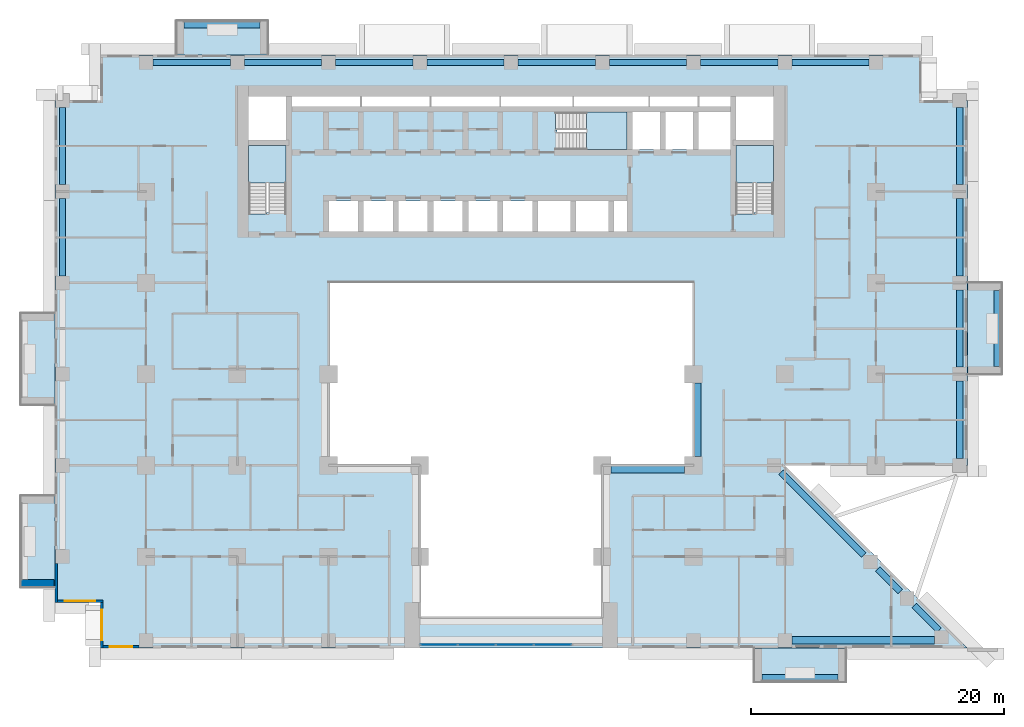
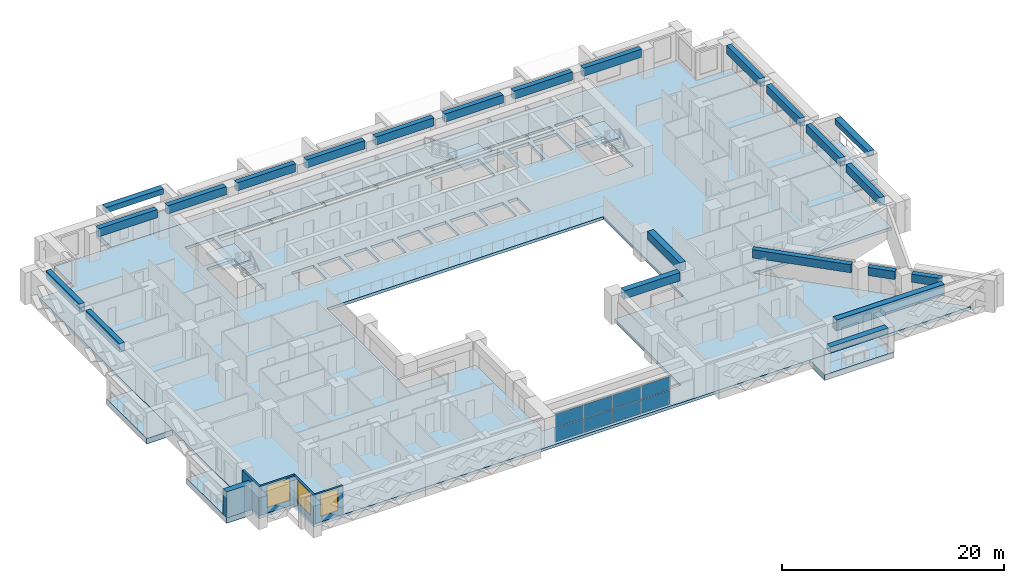
# One storey, part 5 of 16: 23 beams, 9 slabs, 8 plates, 5 walls, 3 windows, 3 openings, 4 elements without a shape of their own.
"""IFC4 building model written with IfcOpenShell, lengths in metres."""

from ifc_helpers import new_model, si_unit, direction, frame, frame_2d, origin, origin_2d, place, context, subcontext, project, spatial, polyline, rectangle, outline, extrude, source, transform, mapped, material, layer, layer_set, material_profile, profile_set, type_object, element, fill, aggregate, save


model = new_model("IFC4")

# Units and contexts
model_context = context("Model", 3, precision=1e-05, world=origin(), true_north=direction((0.0, 1.0)))
body_context = subcontext(model_context, "Body", "Model", "MODEL_VIEW")
ifc_project = project(units=[si_unit("LENGTHUNIT", "METRE"), si_unit("AREAUNIT", "SQUARE_METRE"), si_unit("VOLUMEUNIT", "CUBIC_METRE"), si_unit("PLANEANGLEUNIT", "RADIAN"), si_unit("MASSUNIT", "GRAM", prefix="KILO")], contexts=[model_context])

# Site, building, storey
site_placement = place(None, origin())
site = spatial("IfcSite", under=ifc_project, at=site_placement, CompositionType="ELEMENT")
building_placement = place(site_placement, origin())
building = spatial("IfcBuilding", under=site, at=building_placement, Name="Saffron Iwan Residences", CompositionType="ELEMENT")
storey_placement = place(building_placement, frame((0.0, 0.0, 30.5)))
storey = spatial("IfcBuildingStorey", under=building, at=storey_placement, Name="L06", CompositionType="ELEMENT", Elevation=30.5)

# Beams
ifc_material_1 = material(Name="Concrete C60/75", Category="concrete")
ifc_material_profile_1 = material_profile(ifc_material_1, rectangle(XDim=0.5, YDim=0.89990234375, at=origin_2d()), Name="RC 500x900")
ifc_profile_set_1 = profile_set([ifc_material_profile_1], Name="Concrete C60/75")
beam_type_1 = type_object("IfcBeamType", Name="SPANDREL BEAM RC 500x900 C60/75 TOP 3180", PredefinedType="SPANDREL", material=ifc_profile_set_1)
shared_shape_1 = source(origin(), body_context, "Body", "SweptSolid", [
    extrude(rectangle(XDim=0.5, YDim=0.89990234375, at=origin_2d()), origin(), (0.0, 0.0, 1.0), 6.10009765625),
])
for number, where, z_axis, x_axis, name in (
    (1, (85.800048828125, 61.85009765625, 2.72998046875), (0.0, -1.0, 0.0), (1.0, 0.0, 0.0), "Spandrel beam"),
    (2, (15.0, 62.949951171875, 2.72998046875), (0.0, 1.0, 0.0), (-1.0, 0.0, 0.0), "Spandrel beam"),
    (3, (85.800048828125, 69.050048828125, 2.72998046875), (0.0, -1.0, 0.0), (1.0, 0.0, 0.0), "Spandrel beam"),
    (4, (15.0, 70.14990234375, 2.72998046875), (0.0, 1.0, 0.0), (-1.0, 0.0, 0.0), "Spandrel beam"),
    (5, (85.800048828125, 76.25, 2.72998046875), (0.0, -1.0, 0.0), (1.0, 0.0, 0.0), "Spandrel beam"),
    (6, (22.14990234375, 79.800048828125, 2.72998046875), (1.0, 0.0, 0.0), (0.0, 1.0, 0.0), "Spandrel beam"),
    (7, (43.75, 79.800048828125, 2.72998046875), (1.0, 0.0, 0.0), (0.0, 1.0, 0.0), "Spandrel beam"),
    (8, (50.949951171875, 79.800048828125, 2.72998046875), (1.0, 0.0, 0.0), (0.0, 1.0, 0.0), "Spandrel beam"),
    (9, (58.14990234375, 79.800048828125, 2.72998046875), (1.0, 0.0, 0.0), (0.0, 1.0, 0.0), "Spandrel beam"),
):
    element("IfcBeam", number, at=place(storey_placement, frame(where, z_axis=z_axis, x_axis=x_axis)), inside=storey, type_object=beam_type_1, Name=name, PredefinedType="SPANDREL", context=body_context, shape_type="MappedRepresentation", body=[
        mapped(shared_shape_1, transform((0.0, 0.0, 0.0))),
    ])
shared_shape_2 = source(origin(), body_context, "Body", "SweptSolid", [
    extrude(rectangle(XDim=0.5, YDim=0.89990234375, at=origin_2d()), origin(), (0.0, 0.0, 1.0), 6.099853515625),
])
for number, where, z_axis, x_axis, name in (
    (10, (85.800048828125, 54.64990234375, 2.72998046875), (0.0, -1.0, 0.0), (1.0, 0.0, 0.0), "Spandrel beam"),
    (11, (29.35009765625, 79.800048828125, 2.72998046875), (1.0, 0.0, 0.0), (0.0, 1.0, 0.0), "Spandrel beam"),
    (12, (36.550048828125, 79.800048828125, 2.72998046875), (1.0, 0.0, 0.0), (0.0, 1.0, 0.0), "Spandrel beam"),
    (13, (65.35009765625, 79.800048828125, 2.72998046875), (1.0, 0.0, 0.0), (0.0, 1.0, 0.0), "Spandrel beam"),
    (14, (72.550048828125, 79.800048828125, 2.72998046875), (1.0, 0.0, 0.0), (0.0, 1.0, 0.0), "Spandrel beam"),
):
    element("IfcBeam", number, at=place(storey_placement, frame(where, z_axis=z_axis, x_axis=x_axis)), inside=storey, type_object=beam_type_1, Name=name, PredefinedType="SPANDREL", context=body_context, shape_type="MappedRepresentation", body=[
        mapped(shared_shape_2, transform((0.0, 0.0, 0.0))),
    ])
shared_shape_3 = source(origin(), body_context, "Body", "SweptSolid", [
    extrude(rectangle(XDim=0.5, YDim=0.89990234375, at=origin_2d()), origin(), (0.0, 0.0, 1.0), 2.76318359375),
])
beam_1_placement = place(storey_placement, frame((82.205810546875, 36.94580078125, 2.72998046875), z_axis=(0.707106781187, -0.707106781187, 0.0), x_axis=(0.707106781187, 0.707106781187, 0.0)))
element("IfcBeam", 15, at=beam_1_placement, inside=storey, type_object=beam_type_1, Name="Spandrel beam", PredefinedType="SPANDREL", context=body_context, shape_type="MappedRepresentation", body=[
    mapped(shared_shape_3, transform((0.0, 0.0, 0.0))),
])
shared_shape_4 = source(origin(), body_context, "Body", "SweptSolid", [
    extrude(rectangle(XDim=0.5, YDim=0.89990234375, at=origin_2d()), origin(), (0.0, 0.0, 1.0), 2.517333984375),
])
beam_2_placement = place(storey_placement, frame((79.32568359375, 39.82568359375, 2.72998046875), z_axis=(0.707106781187, -0.707106781187, 0.0), x_axis=(0.707106781187, 0.707106781187, 0.0)))
element("IfcBeam", 16, at=beam_2_placement, inside=storey, type_object=beam_type_1, Name="Spandrel beam", PredefinedType="SPANDREL", context=body_context, shape_type="MappedRepresentation", body=[
    mapped(shared_shape_4, transform((0.0, 0.0, 0.0))),
])
shared_shape_5 = source(origin(), body_context, "Body", "SweptSolid", [
    extrude(rectangle(XDim=0.5, YDim=0.89990234375, at=origin_2d()), origin(), (0.0, 0.0, 1.0), 9.228759765625),
])
beam_3_placement = place(storey_placement, frame((71.699951171875, 47.451416015625, 2.72998046875), z_axis=(0.707120008149, -0.707093553977, 0.0), x_axis=(0.707093553977, 0.707120008149, 0.0)))
element("IfcBeam", 17, at=beam_3_placement, inside=storey, type_object=beam_type_1, Name="Spandrel beam", PredefinedType="SPANDREL", context=body_context, shape_type="MappedRepresentation", body=[
    mapped(shared_shape_5, transform((0.0, 0.0, 0.0))),
])
ifc_material_profile_2 = material_profile(ifc_material_1, rectangle(XDim=0.60009765625, YDim=1.199951171875, at=origin_2d()), Name="RC 600x1200")
ifc_profile_set_2 = profile_set([ifc_material_profile_2], Name="Concrete C60/75")
beam_type_2 = type_object("IfcBeamType", Name="LINTEL BEAM RC 600x1200 C60/75 TOP 3180", PredefinedType="LINTEL", material=ifc_profile_set_2)
shared_shape_6 = source(origin(), body_context, "Body", "SweptSolid", [
    extrude(rectangle(XDim=0.60009765625, YDim=1.199951171875, at=origin_2d()), origin(), (0.0, 0.0, 1.0), 11.267333984375),
])
beam_4_placement = place(storey_placement, frame((83.8173828125, 34.199951171875, 2.580078125), z_axis=(-1.0, 0.0, 0.0), x_axis=(0.0, -1.0, 0.0)))
element("IfcBeam", 18, at=beam_4_placement, inside=storey, type_object=beam_type_2, Name="Lintel beam over the iwan", PredefinedType="LINTEL", context=body_context, shape_type="MappedRepresentation", body=[
    mapped(shared_shape_6, transform((0.0, 0.0, 0.0))),
])
ifc_material_profile_3 = material_profile(ifc_material_1, rectangle(XDim=0.60009765625, YDim=0.89990234375, at=origin_2d()), Name="RC 600x900")
ifc_profile_set_3 = profile_set([ifc_material_profile_3], Name="Concrete C60/75")
beam_type_3 = type_object("IfcBeamType", Name="BEAM RC 600x900 C60/75 TOP 3180", PredefinedType="BEAM", material=ifc_profile_set_3)
shared_shape_7 = source(origin(), body_context, "Body", "SweptSolid", [
    extrude(rectangle(XDim=0.60009765625, YDim=0.89990234375, at=origin_2d()), origin(), (0.0, 0.0, 1.0), 5.800048828125),
])
for number, where, z_axis, x_axis, name in (
    (19, (64.10009765625, 47.699951171875, 2.72998046875), (-1.0, 0.0, 0.0), (0.0, -1.0, 0.0), "Atrium edge beam"),
    (20, (65.10009765625, 54.5, 2.72998046875), (0.0, -1.0, 0.0), (1.0, 0.0, 0.0), "Atrium edge beam"),
):
    element("IfcBeam", number, at=place(storey_placement, frame(where, z_axis=z_axis, x_axis=x_axis)), inside=storey, type_object=beam_type_3, Name=name, PredefinedType="BEAM", context=body_context, shape_type="MappedRepresentation", body=[
        mapped(shared_shape_7, transform((0.0, 0.0, 0.0))),
    ])
ifc_material_2 = material(Name="Concrete C50/60 white painted", Category="concrete")
ifc_material_profile_4 = material_profile(ifc_material_2, rectangle(XDim=0.60009765625, YDim=0.60009765625, at=origin_2d()), Name="BALCONY FASCIA BEAM 600 x 600")
ifc_profile_set_4 = profile_set([ifc_material_profile_4], Name="Concrete C50/60 white painted")
beam_type_4 = type_object("IfcBeamType", Name="BALCONY FASCIA BEAM 600 x 600", PredefinedType="BEAM", material=ifc_profile_set_4)
shared_shape_8 = source(origin(), body_context, "Body", "SweptSolid", [
    extrude(rectangle(XDim=0.60009765625, YDim=0.60009765625, at=origin_2d()), origin(), (0.0, 0.0, 1.0), 6.0),
])
for number, where, z_axis, x_axis, name in (
    (21, (88.800048828125, 55.800048828125, 2.550048828125), (0.0, 1.0, 0.0), (-1.0, 0.0, 0.0), "Balcony fascia beam L06 F2-0"),
    (22, (30.60009765625, 82.800048828125, 2.550048828125), (-1.0, 0.0, 0.0), (0.0, -1.0, 0.0), "Balcony fascia beam L06 F5-3"),
    (23, (70.199951171875, 31.199951171875, 2.550048828125), (1.0, 0.0, 0.0), (0.0, 1.0, 0.0), "Balcony fascia beam L06 11-1"),
):
    element("IfcBeam", number, at=place(storey_placement, frame(where, z_axis=z_axis, x_axis=x_axis)), inside=storey, type_object=beam_type_4, Name=name, PredefinedType="BEAM", context=body_context, shape_type="MappedRepresentation", body=[
        mapped(shared_shape_8, transform((0.0, 0.0, 0.0))),
    ])

# Slabs
ifc_layer_1 = layer(ifc_material_2, 0.60009765625)
ifc_layer_set_1 = layer_set([ifc_layer_1], Name="Concrete C50/60 white painted")
slab_type_1 = type_object("IfcSlabType", Name="BALCONY FRAME SLAB 600", PredefinedType="FLOOR", material=ifc_layer_set_1)
slab_1_placement = place(storey_placement, frame((0.0, 0.0, -0.60009765625)))
element("IfcSlab", 24, at=slab_1_placement, inside=storey, type_object=slab_type_1, Name="Balcony frame slab L06 F2-0", PredefinedType="FLOOR", context=body_context, shape_type="SweptSolid", body=[
    extrude(outline(polyline([(89.10009765625, 55.199951171875), (89.10009765625, 62.39990234375), (86.39990234375, 62.39990234375), (86.39990234375, 55.199951171875), (89.10009765625, 55.199951171875)])), origin(), (0.0, 0.0, 1.0), 0.60009765625),
])
slab_2_placement = place(storey_placement, frame((0.0, 0.0, -0.60009765625)))
element("IfcSlab", 25, at=slab_2_placement, inside=storey, type_object=slab_type_1, Name="Balcony frame slab L06 F5-3", PredefinedType="FLOOR", context=body_context, shape_type="SweptSolid", body=[
    extrude(outline(polyline([(31.199951171875, 83.10009765625), (24.0, 83.10009765625), (24.0, 80.39990234375), (31.199951171875, 80.39990234375), (31.199951171875, 83.10009765625)])), origin(), (0.0, 0.0, 1.0), 0.60009765625),
])
slab_3_placement = place(storey_placement, frame((0.0, 0.0, -0.60009765625)))
element("IfcSlab", 26, at=slab_3_placement, inside=storey, type_object=slab_type_1, Name="Balcony frame slab L06 F8-1", PredefinedType="FLOOR", context=body_context, shape_type="SweptSolid", body=[
    extrude(outline(polyline([(11.699951171875, 60.0), (11.699951171875, 52.800048828125), (14.39990234375, 52.800048828125), (14.39990234375, 60.0), (11.699951171875, 60.0)])), origin(), (0.0, 0.0, 1.0), 0.60009765625),
])
slab_4_placement = place(storey_placement, frame((0.0, 0.0, -0.60009765625)))
element("IfcSlab", 27, at=slab_4_placement, inside=storey, type_object=slab_type_1, Name="Balcony frame slab L06 F8-2", PredefinedType="FLOOR", context=body_context, shape_type="SweptSolid", body=[
    extrude(outline(polyline([(11.699951171875, 45.60009765625), (11.699951171875, 38.39990234375), (14.39990234375, 38.39990234375), (14.39990234375, 45.60009765625), (11.699951171875, 45.60009765625)])), origin(), (0.0, 0.0, 1.0), 0.60009765625),
])
slab_5_placement = place(storey_placement, frame((0.0, 0.0, -0.60009765625)))
element("IfcSlab", 28, at=slab_5_placement, inside=storey, type_object=slab_type_1, Name="Balcony frame slab L06 11-1", PredefinedType="FLOOR", context=body_context, shape_type="SweptSolid", body=[
    extrude(outline(polyline([(69.60009765625, 30.89990234375), (76.800048828125, 30.89990234375), (76.800048828125, 33.60009765625), (69.60009765625, 33.60009765625), (69.60009765625, 30.89990234375)])), origin(), (0.0, 0.0, 1.0), 0.60009765625),
])
ifc_material_3 = material(Name="Concrete C40/50", Category="concrete")
ifc_layer_2 = layer(ifc_material_3, 0.320068359375)
ifc_layer_set_2 = layer_set([ifc_layer_2], Name="Concrete C40/50")
slab_type_2 = type_object("IfcSlabType", Name="PT PLATE 320 C40/50", PredefinedType="FLOOR", material=ifc_layer_set_2)
slab_6_placement = place(storey_placement, frame((0.0, 0.0, -0.320068359375)))
element("IfcSlab", 29, at=slab_6_placement, inside=storey, type_object=slab_type_2, Name="Floor slab L06", PredefinedType="FLOOR", context=body_context, shape_type="SweptSolid", body=[
    extrude(outline(polyline([(14.39990234375, 37.199951171875), (14.39990234375, 76.800048828125), (18.0, 76.800048828125), (18.0, 80.39990234375), (82.800048828125, 80.39990234375), (82.800048828125, 76.800048828125), (86.39990234375, 76.800048828125), (86.39990234375, 48.0), (72.0, 48.0), (86.39990234375, 33.60009765625), (18.0, 33.60009765625), (18.0, 37.199951171875), (14.39990234375, 37.199951171875)]), holes=[polyline([(64.800048828125, 48.0), (64.800048828125, 62.39990234375), (36.0, 62.39990234375), (36.0, 48.0), (43.199951171875, 48.0), (43.199951171875, 36.0), (57.60009765625, 36.0), (57.60009765625, 48.0), (64.800048828125, 48.0)]), polyline([(38.324951171875, 68.875), (36.02490234375, 68.875), (36.02490234375, 66.449951171875), (38.324951171875, 66.449951171875), (38.324951171875, 68.875)]), polyline([(41.074951171875, 66.449951171875), (41.074951171875, 68.875), (38.77490234375, 68.875), (38.77490234375, 66.449951171875), (41.074951171875, 66.449951171875)]), polyline([(43.824951171875, 66.449951171875), (43.824951171875, 68.875), (41.52490234375, 68.875), (41.52490234375, 66.449951171875), (43.824951171875, 66.449951171875)]), polyline([(46.574951171875, 68.875), (44.27490234375, 68.875), (44.27490234375, 66.449951171875), (46.574951171875, 66.449951171875), (46.574951171875, 68.875)]), polyline([(49.324951171875, 66.449951171875), (49.324951171875, 68.875), (47.02490234375, 68.875), (47.02490234375, 66.449951171875), (49.324951171875, 66.449951171875)]), polyline([(52.074951171875, 66.449951171875), (52.074951171875, 68.875), (49.77490234375, 68.875), (49.77490234375, 66.449951171875), (52.074951171875, 66.449951171875)]), polyline([(29.699951171875, 73.25), (29.699951171875, 67.949951171875), (29.699951171875, 67.8505859375), (31.10009765625, 67.8505859375), (31.10009765625, 67.949951171875), (32.64990234375, 67.949951171875), (32.64990234375, 73.25), (29.699951171875, 73.25)]), polyline([(32.64990234375, 73.699951171875), (32.64990234375, 77.10009765625), (29.699951171875, 77.10009765625), (29.699951171875, 73.699951171875), (32.64990234375, 73.699951171875)]), polyline([(38.5, 76.324951171875), (38.5, 77.10009765625), (33.10009765625, 77.10009765625), (33.10009765625, 76.324951171875), (38.5, 76.324951171875)]), polyline([(44.0, 77.10009765625), (38.60009765625, 77.10009765625), (38.60009765625, 76.324951171875), (44.0, 76.324951171875), (44.0, 77.10009765625)]), polyline([(49.5, 76.324951171875), (49.5, 77.10009765625), (44.10009765625, 77.10009765625), (44.10009765625, 76.324951171875), (49.5, 76.324951171875)]), polyline([(55.25, 76.324951171875), (55.25, 77.10009765625), (49.60009765625, 77.10009765625), (49.60009765625, 76.324951171875), (55.25, 76.324951171875)]), polyline([(55.074951171875, 68.875), (52.52490234375, 68.875), (52.52490234375, 66.449951171875), (55.074951171875, 66.449951171875), (55.074951171875, 68.875)]), polyline([(58.074951171875, 66.449951171875), (58.074951171875, 68.875), (55.52490234375, 68.875), (55.52490234375, 66.449951171875), (58.074951171875, 66.449951171875)]), polyline([(59.550048828125, 66.449951171875), (59.550048828125, 68.875), (58.52490234375, 68.875), (58.52490234375, 66.449951171875), (59.550048828125, 66.449951171875)]), polyline([(68.14990234375, 73.25), (68.14990234375, 67.949951171875), (68.14990234375, 67.8505859375), (69.550048828125, 67.8505859375), (69.550048828125, 67.949951171875), (71.10009765625, 67.949951171875), (71.10009765625, 73.25), (68.14990234375, 73.25)]), polyline([(53.925537109375, 74.47509765625), (54.02490234375, 74.47509765625), (54.02490234375, 72.925048828125), (59.550048828125, 72.925048828125), (59.550048828125, 75.875), (54.02490234375, 75.875), (53.925537109375, 75.875), (53.925537109375, 74.47509765625)]), polyline([(62.14990234375, 72.925048828125), (62.14990234375, 75.875), (60.0, 75.875), (60.0, 72.925048828125), (62.14990234375, 72.925048828125)]), polyline([(64.75, 75.875), (62.60009765625, 75.875), (62.60009765625, 72.925048828125), (64.75, 72.925048828125), (64.75, 75.875)]), polyline([(67.699951171875, 72.925048828125), (67.699951171875, 75.875), (65.199951171875, 75.875), (65.199951171875, 72.925048828125), (67.699951171875, 72.925048828125)]), polyline([(71.10009765625, 73.699951171875), (71.10009765625, 77.10009765625), (68.14990234375, 77.10009765625), (68.14990234375, 73.699951171875), (71.10009765625, 73.699951171875)]), polyline([(61.25, 77.10009765625), (55.35009765625, 77.10009765625), (55.35009765625, 76.324951171875), (61.25, 76.324951171875), (61.25, 77.10009765625)]), polyline([(65.14990234375, 76.324951171875), (65.14990234375, 77.10009765625), (61.35009765625, 77.10009765625), (61.35009765625, 76.324951171875), (65.14990234375, 76.324951171875)]), polyline([(67.699951171875, 76.324951171875), (67.699951171875, 77.10009765625), (65.25, 77.10009765625), (65.25, 76.324951171875), (67.699951171875, 76.324951171875)])]), origin(), (0.0, 0.0, 1.0), 0.320068359375),
])

# Stair, slab
ifc_material_4 = material(Name="Concrete C50/60", Category="concrete")
stair_type = type_object("IfcStairType", Name="Stair ST-CORE", PredefinedType="HALF_TURN_STAIR", material=ifc_material_4)
stair_1_placement = place(storey_placement, origin())
stair_1 = element("IfcStair", 30, at=stair_1_placement, inside=storey, type_object=stair_type, Name="L06 Exit Stair ST-W", PredefinedType="HALF_TURN_STAIR")
ifc_layer_3 = layer(ifc_material_4, 0.199951171875)
ifc_layer_set_3 = layer_set([ifc_layer_3], Name="Concrete C50/60")
slab_type_3 = type_object("IfcSlabType", Name="Stair landing SL-RC", PredefinedType="LANDING", material=ifc_layer_set_3)
slab_7_placement = place(storey_placement, frame((0.0, 0.0, 1.5498046875)))
slab_7 = element("IfcSlab", 31, at=slab_7_placement, type_object=slab_type_3, Name="ST-W landing 1", PredefinedType="LANDING", context=body_context, shape_type="SweptSolid", body=[
    extrude(outline(polyline([(32.64990234375, 70.280029296875), (32.64990234375, 73.25), (29.699951171875, 73.25), (29.699951171875, 70.280029296875), (32.64990234375, 70.280029296875)])), origin(), (0.0, 0.0, 1.0), 0.2001953125),
])
aggregate(stair_1, [slab_7])

stair_2_placement = place(storey_placement, origin())
stair_2 = element("IfcStair", 32, at=stair_2_placement, inside=storey, type_object=stair_type, Name="L06 Exit Stair ST-C", PredefinedType="HALF_TURN_STAIR")
slab_8_placement = place(storey_placement, frame((0.0, 0.0, 1.5498046875)))
slab_8 = element("IfcSlab", 33, at=slab_8_placement, type_object=slab_type_3, Name="ST-C landing 1", PredefinedType="LANDING", context=body_context, shape_type="SweptSolid", body=[
    extrude(outline(polyline([(56.35498046875, 72.925048828125), (59.550048828125, 72.925048828125), (59.550048828125, 75.875), (56.35498046875, 75.875), (56.35498046875, 72.925048828125)])), origin(), (0.0, 0.0, 1.0), 0.2001953125),
])
aggregate(stair_2, [slab_8])

stair_3_placement = place(storey_placement, origin())
stair_3 = element("IfcStair", 34, at=stair_3_placement, inside=storey, type_object=stair_type, Name="L06 Exit Stair ST-E", PredefinedType="HALF_TURN_STAIR")
slab_9_placement = place(storey_placement, frame((0.0, 0.0, 1.5498046875)))
slab_9 = element("IfcSlab", 35, at=slab_9_placement, type_object=slab_type_3, Name="ST-E landing 1", PredefinedType="LANDING", context=body_context, shape_type="SweptSolid", body=[
    extrude(outline(polyline([(71.10009765625, 70.280029296875), (71.10009765625, 73.25), (68.14990234375, 73.25), (68.14990234375, 70.280029296875), (71.10009765625, 70.280029296875)])), origin(), (0.0, 0.0, 1.0), 0.2001953125),
])
aggregate(stair_3, [slab_9])

# Curtain wall, plates
ifc_material_5 = material(Name="Clear glass, laminated double glazed", Category="glass")
ifc_layer_4 = layer(ifc_material_5, 0.199951171875)
ifc_layer_set_4 = layer_set([ifc_layer_4], Name="Clear glass, laminated double glazed")
curtain_wall_type = type_object("IfcCurtainWallType", Name="CW-B IWAN PORTAL", PredefinedType="NOTDEFINED", material=ifc_layer_set_4)
curtain_wall_placement = place(storey_placement, origin())
curtain_wall = element("IfcCurtainWall", 36, at=curtain_wall_placement, inside=storey, type_object=curtain_wall_type, Name="Iwan portal glazing L06.1", PredefinedType="NOTDEFINED")
ifc_layer_5 = layer(ifc_material_5, 0.028076171875)
ifc_layer_set_5 = layer_set([ifc_layer_5], Name="Clear glass, laminated double glazed")
plate_type = type_object("IfcPlateType", Name="CW-B PANEL 28", PredefinedType="CURTAIN_PANEL", material=ifc_layer_set_5)
shared_shape_9 = source(origin(), body_context, "Body", "SweptSolid", [
    extrude(rectangle(XDim=2.909912109375, YDim=0.028076171875, at=origin_2d()), origin(), (0.0, 0.0, 1.0), 1.5),
])
plate_1_placement = place(storey_placement, frame((44.715087890625, 33.85009765625, 0.06005859375), z_axis=(0.0, 0.0, 1.0), x_axis=(1.0, 0.0, 0.0)))
plate_1 = element("IfcPlate", 37, at=plate_1_placement, type_object=plate_type, Name="CW-B panel 1.1", PredefinedType="CURTAIN_PANEL", context=body_context, shape_type="MappedRepresentation", body=[
    mapped(shared_shape_9, transform((0.0, 0.0, 0.0))),
])
plate_2_placement = place(storey_placement, frame((44.715087890625, 33.85009765625, 1.6201171875), z_axis=(0.0, 0.0, 1.0), x_axis=(1.0, 0.0, 0.0)))
plate_2 = element("IfcPlate", 38, at=plate_2_placement, type_object=plate_type, Name="CW-B panel 1.2", PredefinedType="CURTAIN_PANEL", context=body_context, shape_type="MappedRepresentation", body=[
    mapped(shared_shape_9, transform((0.0, 0.0, 0.0))),
])
plate_3_placement = place(storey_placement, frame((53.68505859375, 33.85009765625, 0.06005859375), z_axis=(0.0, 0.0, 1.0), x_axis=(1.0, 0.0, 0.0)))
plate_3 = element("IfcPlate", 39, at=plate_3_placement, type_object=plate_type, Name="CW-B panel 4.1", PredefinedType="CURTAIN_PANEL", context=body_context, shape_type="MappedRepresentation", body=[
    mapped(shared_shape_9, transform((0.0, 0.0, 0.0))),
])
plate_4_placement = place(storey_placement, frame((53.68505859375, 33.85009765625, 1.6201171875), z_axis=(0.0, 0.0, 1.0), x_axis=(1.0, 0.0, 0.0)))
plate_4 = element("IfcPlate", 40, at=plate_4_placement, type_object=plate_type, Name="CW-B panel 4.2", PredefinedType="CURTAIN_PANEL", context=body_context, shape_type="MappedRepresentation", body=[
    mapped(shared_shape_9, transform((0.0, 0.0, 0.0))),
])
shared_shape_10 = source(origin(), body_context, "Body", "SweptSolid", [
    extrude(rectangle(XDim=2.93994140625, YDim=0.028076171875, at=origin_2d()), origin(), (0.0, 0.0, 1.0), 1.5),
])
plate_5_placement = place(storey_placement, frame((47.699951171875, 33.85009765625, 0.06005859375), z_axis=(0.0, 0.0, 1.0), x_axis=(1.0, 0.0, 0.0)))
plate_5 = element("IfcPlate", 41, at=plate_5_placement, type_object=plate_type, Name="CW-B panel 2.1", PredefinedType="CURTAIN_PANEL", context=body_context, shape_type="MappedRepresentation", body=[
    mapped(shared_shape_10, transform((0.0, 0.0, 0.0))),
])
plate_6_placement = place(storey_placement, frame((47.699951171875, 33.85009765625, 1.6201171875), z_axis=(0.0, 0.0, 1.0), x_axis=(1.0, 0.0, 0.0)))
plate_6 = element("IfcPlate", 42, at=plate_6_placement, type_object=plate_type, Name="CW-B panel 2.2", PredefinedType="CURTAIN_PANEL", context=body_context, shape_type="MappedRepresentation", body=[
    mapped(shared_shape_10, transform((0.0, 0.0, 0.0))),
])
plate_7_placement = place(storey_placement, frame((50.699951171875, 33.85009765625, 0.06005859375), z_axis=(0.0, 0.0, 1.0), x_axis=(1.0, 0.0, 0.0)))
plate_7 = element("IfcPlate", 43, at=plate_7_placement, type_object=plate_type, Name="CW-B panel 3.1", PredefinedType="CURTAIN_PANEL", context=body_context, shape_type="MappedRepresentation", body=[
    mapped(shared_shape_10, transform((0.0, 0.0, 0.0))),
])
plate_8_placement = place(storey_placement, frame((50.699951171875, 33.85009765625, 1.6201171875), z_axis=(0.0, 0.0, 1.0), x_axis=(1.0, 0.0, 0.0)))
plate_8 = element("IfcPlate", 44, at=plate_8_placement, type_object=plate_type, Name="CW-B panel 3.2", PredefinedType="CURTAIN_PANEL", context=body_context, shape_type="MappedRepresentation", body=[
    mapped(shared_shape_10, transform((0.0, 0.0, 0.0))),
])
aggregate(curtain_wall, [plate_1, plate_2, plate_5, plate_6, plate_7, plate_8, plate_3, plate_4])

# Walls
ifc_layer_6 = layer(ifc_material_2, 0.60009765625)
ifc_layer_set_6 = layer_set([ifc_layer_6], Name="Concrete C50/60 white painted")
wall_type_1 = type_object("IfcWallType", Name="BALCONY FIN 600", PredefinedType="SOLIDWALL", material=ifc_layer_set_6)
wall_1_placement = place(storey_placement, frame((14.35009765625, 38.699951171875, 0.0), z_axis=(0.0, 0.0, 1.0), x_axis=(-1.0, 0.0, 0.0)))
element("IfcWall", 45, at=wall_1_placement, inside=storey, type_object=wall_type_1, Name="Balcony fin L06 F8-2b", PredefinedType="SOLIDWALL", context=body_context, shape_type="SweptSolid", body=[
    extrude(rectangle(XDim=2.650146484375, YDim=0.60009765625, at=frame_2d((1.3251953125, 0.0))), origin(), (0.0, 0.0, 1.0), 2.85009765625),
])
ifc_layer_7 = layer(ifc_material_3, 0.199951171875)
ifc_layer_set_7 = layer_set([ifc_layer_7], Name="Concrete C40/50")
wall_type_2 = type_object("IfcWallType", Name="EXTERNAL WALL 200", PredefinedType="SOLIDWALL", material=ifc_layer_set_7)
wall_2_placement = place(storey_placement, frame((14.5, 40.25, 0.0), z_axis=(0.0, 0.0, 1.0), x_axis=(0.0, -1.0, 0.0)))
element("IfcWall", 46, at=wall_2_placement, inside=storey, type_object=wall_type_2, Name="External wall L06 F8.5", PredefinedType="SOLIDWALL", context=body_context, shape_type="SweptSolid", body=[
    extrude(rectangle(XDim=3.050048828125, YDim=0.199951171875, at=frame_2d((1.52490234375, 0.0))), origin(), (0.0, 0.0, 1.0), 3.179931640625),
])

# Wall, opening, window
wall_3_placement = place(storey_placement, frame((14.60009765625, 37.300048828125, 0.0), z_axis=(0.0, 0.0, 1.0), x_axis=(1.0, 0.0, 0.0)))
wall_3 = element("IfcWall", 47, at=wall_3_placement, inside=storey, type_object=wall_type_2, Name="External wall L06 F9.0", PredefinedType="SOLIDWALL", context=body_context, shape_type="SweptSolid", body=[
    extrude(rectangle(XDim=3.599853515625, YDim=0.199951171875, at=frame_2d((1.7998046875, 0.0))), origin(), (0.0, 0.0, 1.0), 3.179931640625),
])
opening_1_placement = place(wall_3_placement, frame((0.60009765625, 0.0, 0.60009765625)))
opening_1 = element("IfcOpeningElement", 48, at=opening_1_placement, cuts=wall_3, Name="Opening W1", PredefinedType="OPENING", context=body_context, shape_type="SweptSolid", body=[
    extrude(rectangle(XDim=2.39990234375, YDim=2.39990234375, at=frame_2d((1.199951171875, 1.199951171875))), frame((0.0, 0.10986328125, 0.0), z_axis=(0.0, -1.0, 0.0), x_axis=(1.0, 0.0, 0.0)), (0.0, 0.0, 1.0), 0.219970703125),
])
window_type_1 = type_object("IfcWindowType", Name="WINDOW 2400 x 2400", PartitioningType="DOUBLE_PANEL_VERTICAL", PredefinedType="WINDOW", material=ifc_material_5)
window_1_placement = place(opening_1_placement, origin())
window_1 = element("IfcWindow", 49, at=window_1_placement, inside=storey, type_object=window_type_1, Name="Window L06 F9.0", OverallHeight=2.39990234375, OverallWidth=2.39990234375, PartitioningType="DOUBLE_PANEL_VERTICAL", PredefinedType="WINDOW", context=body_context, shape_type="SweptSolid", body=[
    extrude(rectangle(XDim=2.39990234375, YDim=2.39990234375, at=frame_2d((1.199951171875, 1.199951171875))), frame((0.0, 0.030029296875, 0.0), z_axis=(0.0, -1.0, 0.0), x_axis=(1.0, 0.0, 0.0)), (0.0, 0.0, 1.0), 0.06005859375),
])
fill(opening_1, window_1)

wall_4_placement = place(storey_placement, frame((18.10009765625, 37.199951171875, 0.0), z_axis=(0.0, 0.0, 1.0), x_axis=(0.0, -1.0, 0.0)))
wall_4 = element("IfcWall", 50, at=wall_4_placement, inside=storey, type_object=wall_type_2, Name="External wall L06 F10.0", PredefinedType="SOLIDWALL", context=body_context, shape_type="SweptSolid", body=[
    extrude(rectangle(XDim=3.599853515625, YDim=0.199951171875, at=frame_2d((1.7998046875, 0.0))), origin(), (0.0, 0.0, 1.0), 3.179931640625),
])
opening_2_placement = place(wall_4_placement, frame((0.60009765625, 0.0, 0.60009765625)))
opening_2 = element("IfcOpeningElement", 51, at=opening_2_placement, cuts=wall_4, Name="Opening W1", PredefinedType="OPENING", context=body_context, shape_type="SweptSolid", body=[
    extrude(rectangle(XDim=2.39990234375, YDim=2.39990234375, at=frame_2d((1.199951171875, 1.199951171875))), frame((0.0, 0.10986328125, 0.0), z_axis=(0.0, -1.0, 0.0), x_axis=(1.0, 0.0, 0.0)), (0.0, 0.0, 1.0), 0.219970703125),
])
window_2_placement = place(opening_2_placement, origin())
window_2 = element("IfcWindow", 52, at=window_2_placement, inside=storey, type_object=window_type_1, Name="Window L06 F10.0", OverallHeight=2.39990234375, OverallWidth=2.39990234375, PartitioningType="DOUBLE_PANEL_VERTICAL", PredefinedType="WINDOW", context=body_context, shape_type="SweptSolid", body=[
    extrude(rectangle(XDim=2.39990234375, YDim=2.39990234375, at=frame_2d((1.199951171875, 1.199951171875))), frame((0.0, 0.030029296875, 0.0), z_axis=(0.0, -1.0, 0.0), x_axis=(1.0, 0.0, 0.0)), (0.0, 0.0, 1.0), 0.06005859375),
])
fill(opening_2, window_2)

wall_5_placement = place(storey_placement, frame((18.199951171875, 33.699951171875, 0.0), z_axis=(0.0, 0.0, 1.0), x_axis=(1.0, 0.0, 0.0)))
wall_5 = element("IfcWall", 53, at=wall_5_placement, inside=storey, type_object=wall_type_2, Name="External wall L06 F11.0", PredefinedType="SOLIDWALL", context=body_context, shape_type="SweptSolid", body=[
    extrude(rectangle(XDim=2.85009765625, YDim=0.199951171875, at=frame_2d((1.425048828125, 0.0))), origin(), (0.0, 0.0, 1.0), 3.179931640625),
])
opening_3_placement = place(wall_5_placement, frame((0.52490234375, 0.0, 0.60009765625)))
opening_3 = element("IfcOpeningElement", 54, at=opening_3_placement, cuts=wall_5, Name="Opening W8", PredefinedType="OPENING", context=body_context, shape_type="SweptSolid", body=[
    extrude(rectangle(XDim=1.800048828125, YDim=2.39990234375, at=frame_2d((0.89990234375, 1.199951171875))), frame((0.0, 0.10986328125, 0.0), z_axis=(0.0, -1.0, 0.0), x_axis=(1.0, 0.0, 0.0)), (0.0, 0.0, 1.0), 0.219970703125),
])
window_type_2 = type_object("IfcWindowType", Name="WINDOW 1800 x 2400", PartitioningType="DOUBLE_PANEL_VERTICAL", PredefinedType="WINDOW", material=ifc_material_5)
window_3_placement = place(opening_3_placement, origin())
window_3 = element("IfcWindow", 55, at=window_3_placement, inside=storey, type_object=window_type_2, Name="Window L06 F11.0", OverallHeight=2.39990234375, OverallWidth=1.800048828125, PartitioningType="DOUBLE_PANEL_VERTICAL", PredefinedType="WINDOW", context=body_context, shape_type="SweptSolid", body=[
    extrude(rectangle(XDim=1.800048828125, YDim=2.39990234375, at=frame_2d((0.89990234375, 1.199951171875))), frame((0.0, 0.030029296875, 0.0), z_axis=(0.0, -1.0, 0.0), x_axis=(1.0, 0.0, 0.0)), (0.0, 0.0, 1.0), 0.06005859375),
])
fill(opening_3, window_3)

save(model, "model.ifc")
